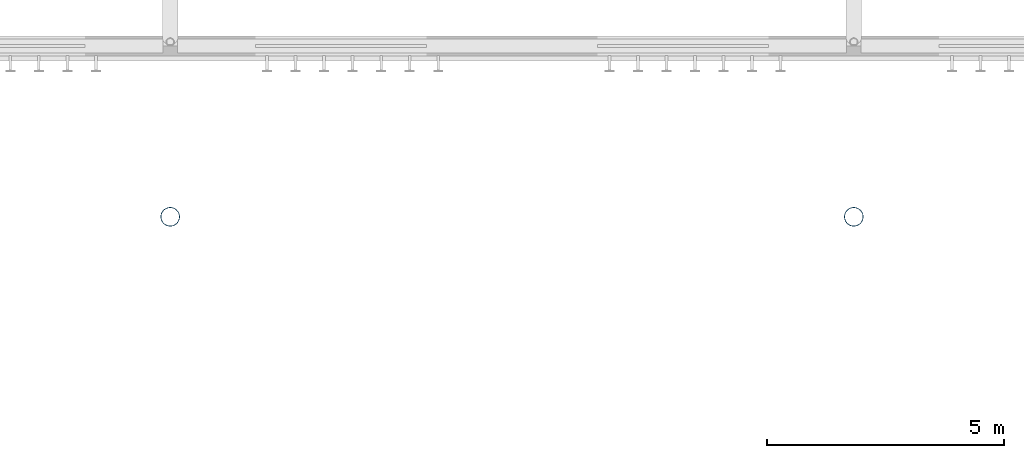
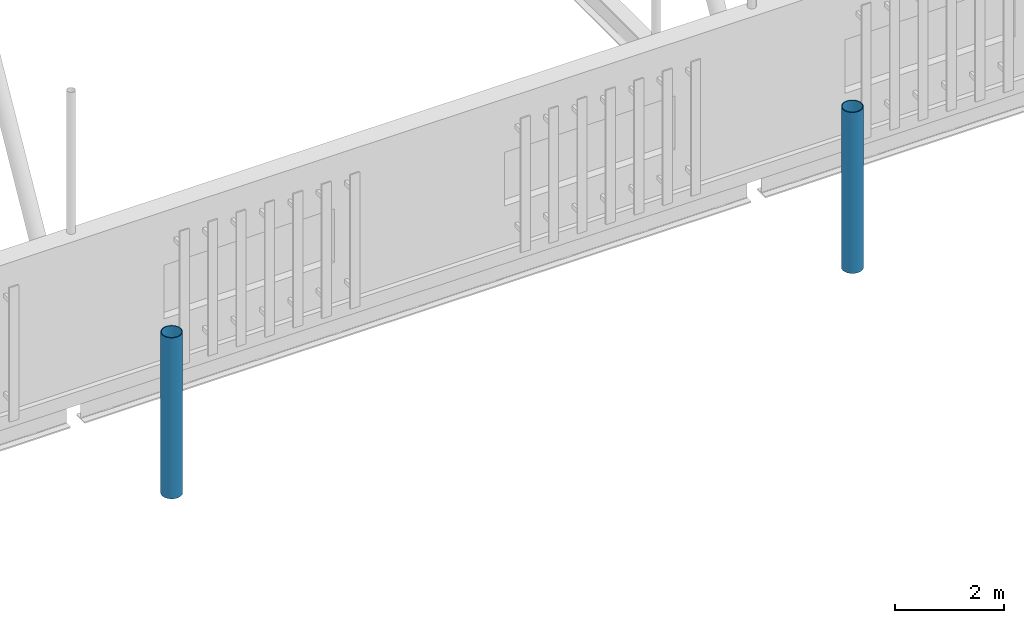
# One storey, part 6 of 142: 2 columns.
"""IFC4 building model written with IfcOpenShell, lengths in metres."""

from ifc_helpers import new_model, si_unit, direction, frame, origin, origin_2d, place, context, subcontext, project, spatial, hollow_circle, extrude, material, material_profile, profile_set, type_object, element, save


model = new_model("IFC4")

# Units and contexts
model_context = context("Model", 3, precision=1e-05, world=origin(), true_north=direction((0.0, 1.0)))
body_context = subcontext(model_context, "Body", "Model", "MODEL_VIEW")
ifc_project = project(units=[si_unit("LENGTHUNIT", "METRE"), si_unit("AREAUNIT", "SQUARE_METRE"), si_unit("VOLUMEUNIT", "CUBIC_METRE"), si_unit("PLANEANGLEUNIT", "RADIAN"), si_unit("MASSUNIT", "GRAM", prefix="KILO")], contexts=[model_context])

# Site, building, storey
site_placement = place(None, origin())
site = spatial("IfcSite", under=ifc_project, at=site_placement, CompositionType="ELEMENT")
building_placement = place(site_placement, origin())
building = spatial("IfcBuilding", under=site, at=building_placement, Name="Kupolbacken Congress Centre", CompositionType="ELEMENT")
storey_placement = place(building_placement, frame((0.0, 0.0, 14.39990234375)))
storey = spatial("IfcBuildingStorey", under=building, at=storey_placement, Name="L04", CompositionType="ELEMENT", Elevation=14.39990234375)

# Columns
ifc_material = material(Name="Steel S355", Category="steel")
ifc_material_profile = material_profile(ifc_material, hollow_circle(Radius=0.203125, WallThickness=0.01611328125, at=origin_2d()), Name="CHS 406.4 x 16")
ifc_profile_set = profile_set([ifc_material_profile], Name="Steel S355")
column_type = type_object("IfcColumnType", Name="C15 roof mast CHS 406.4 x 16", PredefinedType="COLUMN", material=ifc_profile_set)
for number, where, z_axis, x_axis, name in (
    (1, (108.0, 39.60009765625, 0.0), (0.0, 0.0, 1.0), (1.0, 0.0, 0.0), "Roof mast M2S"),
    (2, (122.39990234375, 39.60009765625, 0.0), (0.0, 0.0, 1.0), (1.0, 0.0, 0.0), "Roof mast M3S"),
):
    element("IfcColumn", number, at=place(storey_placement, frame(where, z_axis=z_axis, x_axis=x_axis)), inside=storey, type_object=column_type, Name=name, PredefinedType="COLUMN", context=body_context, shape_type="SweptSolid", body=[
        extrude(hollow_circle(Radius=0.203125, WallThickness=0.01611328125, at=origin_2d()), origin(), (0.0, 0.0, 1.0), 3.60009765625),
    ])

save(model, "model.ifc")
